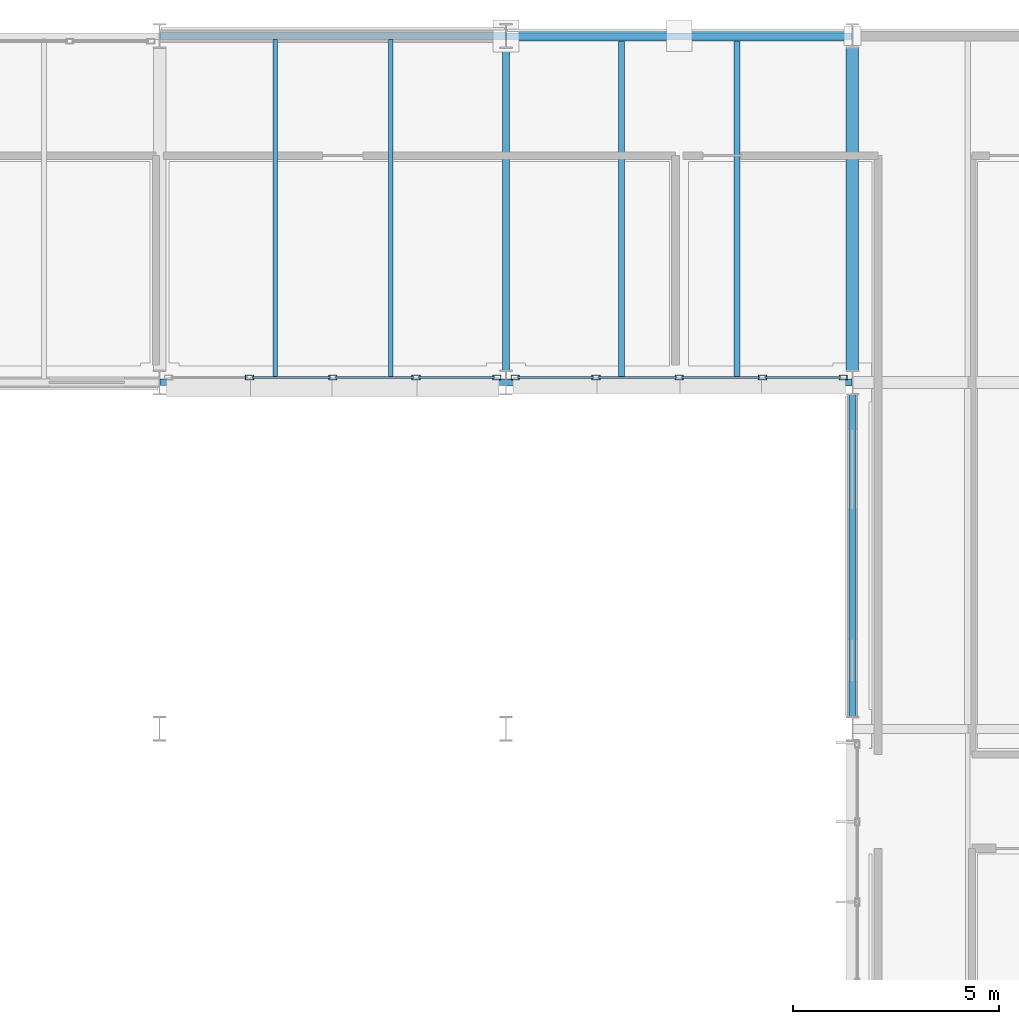
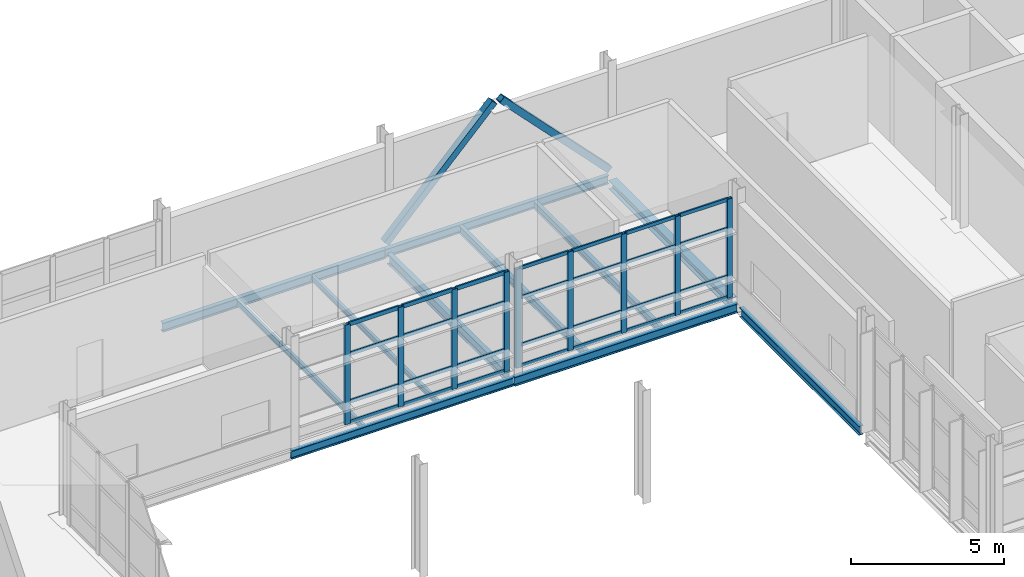
# One storey, part 77 of 129: 39 members, 11 beams, 2 elements without a shape of their own.
"""IFC4 building model written with IfcOpenShell, lengths in metres."""

from ifc_helpers import new_model, si_unit, direction, frame, origin, origin_2d, place, context, subcontext, project, spatial, hollow_rectangle, i_section, extrude, material, material_profile, profile_set, type_object, element, aggregate, save


model = new_model("IFC4")

# Units and contexts
model_context = context("Model", 3, precision=1e-05, world=origin(), true_north=direction((0.0, 1.0)))
body_context = subcontext(model_context, "Body", "Model", "MODEL_VIEW")
ifc_project = project(units=[si_unit("LENGTHUNIT", "METRE"), si_unit("AREAUNIT", "SQUARE_METRE"), si_unit("VOLUMEUNIT", "CUBIC_METRE"), si_unit("PLANEANGLEUNIT", "RADIAN"), si_unit("MASSUNIT", "GRAM", prefix="KILO")], contexts=[model_context])

# Site, building, storey
site_placement = place(None, origin())
site = spatial("IfcSite", under=ifc_project, at=site_placement, CompositionType="ELEMENT")
building_placement = place(site_placement, origin())
building = spatial("IfcBuilding", under=site, at=building_placement, Name="Mersafa Astral City Hall", CompositionType="ELEMENT")
storey_placement = place(building_placement, frame((0.0, 0.0, 5.39990234375)))
storey = spatial("IfcBuildingStorey", under=building, at=storey_placement, Name="L01", CompositionType="ELEMENT", Elevation=5.39990234375)

# Curtain wall, members
ifc_material_1 = material(Name="Anodised bronze aluminium framing", Category="aluminium")
curtain_wall_type_1 = type_object("IfcCurtainWallType", Name="ENV-CW-1", PredefinedType="USERDEFINED", material=ifc_material_1)
curtain_wall_1_placement = place(storey_placement, origin())
curtain_wall_1 = element("IfcCurtainWall", 1, at=curtain_wall_1_placement, inside=storey, type_object=curtain_wall_type_1, Name="L01 Unitised solar curtain wall 60", ObjectType="UNITISED CURTAIN WALL", PredefinedType="USERDEFINED")
ifc_material_profile_1 = material_profile(ifc_material_1, hollow_rectangle(XDim=0.1201171875, YDim=0.199951171875, WallThickness=0.008056640625, at=origin_2d()), Name="RHS 120x200x8")
ifc_profile_set_1 = profile_set([ifc_material_profile_1], Name="Anodised bronze aluminium framing")
member_type_1 = type_object("IfcMemberType", Name="ENV-CW-MUL-2", PredefinedType="MULLION", material=ifc_profile_set_1)
member_1_placement = place(storey_placement, frame((128.180908203125, 117.719970703125, -0.001953125), z_axis=(0.0, 0.0, 1.0), x_axis=(0.0, 1.0, 0.0)))
member_1 = element("IfcMember", 2, at=member_1_placement, type_object=member_type_1, Name="CW-1 mullion 2", PredefinedType="MULLION", context=body_context, shape_type="SweptSolid", body=[
    extrude(hollow_rectangle(XDim=0.1201171875, YDim=0.199951171875, WallThickness=0.008056640625, at=origin_2d()), origin(), (0.0, 0.0, 1.0), 3.968994140625),
])
member_2_placement = place(storey_placement, frame((130.199951171875, 117.719970703125, -0.001953125), z_axis=(0.0, 0.0, 1.0), x_axis=(0.0, 1.0, 0.0)))
member_2 = element("IfcMember", 3, at=member_2_placement, type_object=member_type_1, Name="CW-1 mullion 3", PredefinedType="MULLION", context=body_context, shape_type="SweptSolid", body=[
    extrude(hollow_rectangle(XDim=0.1201171875, YDim=0.199951171875, WallThickness=0.008056640625, at=origin_2d()), origin(), (0.0, 0.0, 1.0), 3.968994140625),
])
member_3_placement = place(storey_placement, frame((132.218994140625, 117.719970703125, -0.001953125), z_axis=(0.0, 0.0, 1.0), x_axis=(0.0, 1.0, 0.0)))
member_3 = element("IfcMember", 4, at=member_3_placement, type_object=member_type_1, Name="CW-1 mullion 4", PredefinedType="MULLION", context=body_context, shape_type="SweptSolid", body=[
    extrude(hollow_rectangle(XDim=0.1201171875, YDim=0.199951171875, WallThickness=0.008056640625, at=origin_2d()), origin(), (0.0, 0.0, 1.0), 3.968994140625),
])
member_4_placement = place(storey_placement, frame((134.177978515625, 117.719970703125, -0.001953125), z_axis=(0.0, 0.0, 1.0), x_axis=(0.0, 1.0, 0.0)))
member_4 = element("IfcMember", 5, at=member_4_placement, type_object=member_type_1, Name="CW-1 mullion 5", PredefinedType="MULLION", context=body_context, shape_type="SweptSolid", body=[
    extrude(hollow_rectangle(XDim=0.1201171875, YDim=0.199951171875, WallThickness=0.008056640625, at=origin_2d()), origin(), (0.0, 0.0, 1.0), 3.968994140625),
])

curtain_wall_type_2 = type_object("IfcCurtainWallType", Name="ENV-CW-2", PredefinedType="USERDEFINED", material=ifc_material_1)
curtain_wall_2_placement = place(storey_placement, origin())
curtain_wall_2 = element("IfcCurtainWall", 6, at=curtain_wall_2_placement, inside=storey, type_object=curtain_wall_type_2, Name="L01 Unitised solar curtain wall 61", ObjectType="UNITISED CURTAIN WALL", PredefinedType="USERDEFINED")
member_5_placement = place(storey_placement, frame((134.6220703125, 117.719970703125, -0.001953125), z_axis=(0.0, 0.0, 1.0), x_axis=(0.0, 1.0, 0.0)))
member_5 = element("IfcMember", 7, at=member_5_placement, type_object=member_type_1, Name="CW-2 mullion 1", PredefinedType="MULLION", context=body_context, shape_type="SweptSolid", body=[
    extrude(hollow_rectangle(XDim=0.1201171875, YDim=0.199951171875, WallThickness=0.008056640625, at=origin_2d()), origin(), (0.0, 0.0, 1.0), 3.93896484375),
])
member_6_placement = place(storey_placement, frame((136.5810546875, 117.719970703125, -0.001953125), z_axis=(0.0, 0.0, 1.0), x_axis=(0.0, 1.0, 0.0)))
member_6 = element("IfcMember", 8, at=member_6_placement, type_object=member_type_1, Name="CW-2 mullion 2", PredefinedType="MULLION", context=body_context, shape_type="SweptSolid", body=[
    extrude(hollow_rectangle(XDim=0.1201171875, YDim=0.199951171875, WallThickness=0.008056640625, at=origin_2d()), origin(), (0.0, 0.0, 1.0), 3.93896484375),
])
member_7_placement = place(storey_placement, frame((138.60009765625, 117.719970703125, -0.001953125), z_axis=(0.0, 0.0, 1.0), x_axis=(0.0, 1.0, 0.0)))
member_7 = element("IfcMember", 9, at=member_7_placement, type_object=member_type_1, Name="CW-2 mullion 3", PredefinedType="MULLION", context=body_context, shape_type="SweptSolid", body=[
    extrude(hollow_rectangle(XDim=0.1201171875, YDim=0.199951171875, WallThickness=0.008056640625, at=origin_2d()), origin(), (0.0, 0.0, 1.0), 3.93896484375),
])
member_8_placement = place(storey_placement, frame((140.618896484375, 117.719970703125, -0.001953125), z_axis=(0.0, 0.0, 1.0), x_axis=(0.0, 1.0, 0.0)))
member_8 = element("IfcMember", 10, at=member_8_placement, type_object=member_type_1, Name="CW-2 mullion 4", PredefinedType="MULLION", context=body_context, shape_type="SweptSolid", body=[
    extrude(hollow_rectangle(XDim=0.1201171875, YDim=0.199951171875, WallThickness=0.008056640625, at=origin_2d()), origin(), (0.0, 0.0, 1.0), 3.93896484375),
])
member_9_placement = place(storey_placement, frame((142.577880859375, 117.719970703125, -0.001953125), z_axis=(0.0, 0.0, 1.0), x_axis=(0.0, 1.0, 0.0)))
member_9 = element("IfcMember", 11, at=member_9_placement, type_object=member_type_1, Name="CW-2 mullion 5", PredefinedType="MULLION", context=body_context, shape_type="SweptSolid", body=[
    extrude(hollow_rectangle(XDim=0.1201171875, YDim=0.199951171875, WallThickness=0.008056640625, at=origin_2d()), origin(), (0.0, 0.0, 1.0), 3.93896484375),
])
ifc_material_profile_2 = material_profile(ifc_material_1, hollow_rectangle(XDim=0.06005859375, YDim=0.139892578125, WallThickness=0.00390625, at=origin_2d()), Name="RHS 60x140x4")
ifc_profile_set_2 = profile_set([ifc_material_profile_2], Name="Anodised bronze aluminium framing")
member_type_2 = type_object("IfcMemberType", Name="ENV-CW-TRN-1", PredefinedType="USERDEFINED", material=ifc_profile_set_2)
member_10_placement = place(storey_placement, frame((134.681884765625, 117.719970703125, 0.028076171875), z_axis=(1.0, 0.0, 0.0), x_axis=(0.0, 1.0, 0.0)))
member_10 = element("IfcMember", 12, at=member_10_placement, type_object=member_type_2, Name="CW-2 transom 1.1", ObjectType="TRANSOM", PredefinedType="USERDEFINED", context=body_context, shape_type="SweptSolid", body=[
    extrude(hollow_rectangle(XDim=0.06005859375, YDim=0.139892578125, WallThickness=0.00390625, at=origin_2d()), origin(), (0.0, 0.0, 1.0), 1.839111328125),
])
member_11_placement = place(storey_placement, frame((134.681884765625, 117.719970703125, 0.85009765625), z_axis=(1.0, 0.0, 0.0), x_axis=(0.0, 1.0, 0.0)))
member_11 = element("IfcMember", 13, at=member_11_placement, type_object=member_type_2, Name="CW-2 transom 1.2", ObjectType="TRANSOM", PredefinedType="USERDEFINED", context=body_context, shape_type="SweptSolid", body=[
    extrude(hollow_rectangle(XDim=0.06005859375, YDim=0.139892578125, WallThickness=0.00390625, at=origin_2d()), origin(), (0.0, 0.0, 1.0), 1.839111328125),
])
member_12_placement = place(storey_placement, frame((134.681884765625, 117.719970703125, 2.75), z_axis=(1.0, 0.0, 0.0), x_axis=(0.0, 1.0, 0.0)))
member_12 = element("IfcMember", 14, at=member_12_placement, type_object=member_type_2, Name="CW-2 transom 1.3", ObjectType="TRANSOM", PredefinedType="USERDEFINED", context=body_context, shape_type="SweptSolid", body=[
    extrude(hollow_rectangle(XDim=0.06005859375, YDim=0.139892578125, WallThickness=0.00390625, at=origin_2d()), origin(), (0.0, 0.0, 1.0), 1.839111328125),
])
member_13_placement = place(storey_placement, frame((134.681884765625, 117.719970703125, 3.906982421875), z_axis=(1.0, 0.0, 0.0), x_axis=(0.0, 1.0, 0.0)))
member_13 = element("IfcMember", 15, at=member_13_placement, type_object=member_type_2, Name="CW-2 transom 1.4", ObjectType="TRANSOM", PredefinedType="USERDEFINED", context=body_context, shape_type="SweptSolid", body=[
    extrude(hollow_rectangle(XDim=0.06005859375, YDim=0.139892578125, WallThickness=0.00390625, at=origin_2d()), origin(), (0.0, 0.0, 1.0), 1.839111328125),
])
member_14_placement = place(storey_placement, frame((136.64111328125, 117.719970703125, 0.028076171875), z_axis=(1.0, 0.0, 0.0), x_axis=(0.0, 1.0, 0.0)))
member_14 = element("IfcMember", 16, at=member_14_placement, type_object=member_type_2, Name="CW-2 transom 2.1", ObjectType="TRANSOM", PredefinedType="USERDEFINED", context=body_context, shape_type="SweptSolid", body=[
    extrude(hollow_rectangle(XDim=0.06005859375, YDim=0.139892578125, WallThickness=0.00390625, at=origin_2d()), origin(), (0.0, 0.0, 1.0), 1.89892578125),
])
member_15_placement = place(storey_placement, frame((136.64111328125, 117.719970703125, 0.85009765625), z_axis=(1.0, 0.0, 0.0), x_axis=(0.0, 1.0, 0.0)))
member_15 = element("IfcMember", 17, at=member_15_placement, type_object=member_type_2, Name="CW-2 transom 2.2", ObjectType="TRANSOM", PredefinedType="USERDEFINED", context=body_context, shape_type="SweptSolid", body=[
    extrude(hollow_rectangle(XDim=0.06005859375, YDim=0.139892578125, WallThickness=0.00390625, at=origin_2d()), origin(), (0.0, 0.0, 1.0), 1.89892578125),
])
member_16_placement = place(storey_placement, frame((136.64111328125, 117.719970703125, 2.75), z_axis=(1.0, 0.0, 0.0), x_axis=(0.0, 1.0, 0.0)))
member_16 = element("IfcMember", 18, at=member_16_placement, type_object=member_type_2, Name="CW-2 transom 2.3", ObjectType="TRANSOM", PredefinedType="USERDEFINED", context=body_context, shape_type="SweptSolid", body=[
    extrude(hollow_rectangle(XDim=0.06005859375, YDim=0.139892578125, WallThickness=0.00390625, at=origin_2d()), origin(), (0.0, 0.0, 1.0), 1.89892578125),
])
member_17_placement = place(storey_placement, frame((136.64111328125, 117.719970703125, 3.906982421875), z_axis=(1.0, 0.0, 0.0), x_axis=(0.0, 1.0, 0.0)))
member_17 = element("IfcMember", 19, at=member_17_placement, type_object=member_type_2, Name="CW-2 transom 2.4", ObjectType="TRANSOM", PredefinedType="USERDEFINED", context=body_context, shape_type="SweptSolid", body=[
    extrude(hollow_rectangle(XDim=0.06005859375, YDim=0.139892578125, WallThickness=0.00390625, at=origin_2d()), origin(), (0.0, 0.0, 1.0), 1.89892578125),
])
member_18_placement = place(storey_placement, frame((138.659912109375, 117.719970703125, 0.028076171875), z_axis=(1.0, 0.0, 0.0), x_axis=(0.0, 1.0, 0.0)))
member_18 = element("IfcMember", 20, at=member_18_placement, type_object=member_type_2, Name="CW-2 transom 3.1", ObjectType="TRANSOM", PredefinedType="USERDEFINED", context=body_context, shape_type="SweptSolid", body=[
    extrude(hollow_rectangle(XDim=0.06005859375, YDim=0.139892578125, WallThickness=0.00390625, at=origin_2d()), origin(), (0.0, 0.0, 1.0), 1.899169921875),
])
member_19_placement = place(storey_placement, frame((138.659912109375, 117.719970703125, 0.85009765625), z_axis=(1.0, 0.0, 0.0), x_axis=(0.0, 1.0, 0.0)))
member_19 = element("IfcMember", 21, at=member_19_placement, type_object=member_type_2, Name="CW-2 transom 3.2", ObjectType="TRANSOM", PredefinedType="USERDEFINED", context=body_context, shape_type="SweptSolid", body=[
    extrude(hollow_rectangle(XDim=0.06005859375, YDim=0.139892578125, WallThickness=0.00390625, at=origin_2d()), origin(), (0.0, 0.0, 1.0), 1.899169921875),
])
member_20_placement = place(storey_placement, frame((138.659912109375, 117.719970703125, 2.75), z_axis=(1.0, 0.0, 0.0), x_axis=(0.0, 1.0, 0.0)))
member_20 = element("IfcMember", 22, at=member_20_placement, type_object=member_type_2, Name="CW-2 transom 3.3", ObjectType="TRANSOM", PredefinedType="USERDEFINED", context=body_context, shape_type="SweptSolid", body=[
    extrude(hollow_rectangle(XDim=0.06005859375, YDim=0.139892578125, WallThickness=0.00390625, at=origin_2d()), origin(), (0.0, 0.0, 1.0), 1.899169921875),
])
member_21_placement = place(storey_placement, frame((138.659912109375, 117.719970703125, 3.906982421875), z_axis=(1.0, 0.0, 0.0), x_axis=(0.0, 1.0, 0.0)))
member_21 = element("IfcMember", 23, at=member_21_placement, type_object=member_type_2, Name="CW-2 transom 3.4", ObjectType="TRANSOM", PredefinedType="USERDEFINED", context=body_context, shape_type="SweptSolid", body=[
    extrude(hollow_rectangle(XDim=0.06005859375, YDim=0.139892578125, WallThickness=0.00390625, at=origin_2d()), origin(), (0.0, 0.0, 1.0), 1.899169921875),
])
member_22_placement = place(storey_placement, frame((140.678955078125, 117.719970703125, 0.028076171875), z_axis=(1.0, 0.0, 0.0), x_axis=(0.0, 1.0, 0.0)))
member_22 = element("IfcMember", 24, at=member_22_placement, type_object=member_type_2, Name="CW-2 transom 4.1", ObjectType="TRANSOM", PredefinedType="USERDEFINED", context=body_context, shape_type="SweptSolid", body=[
    extrude(hollow_rectangle(XDim=0.06005859375, YDim=0.139892578125, WallThickness=0.00390625, at=origin_2d()), origin(), (0.0, 0.0, 1.0), 1.839111328125),
])
member_23_placement = place(storey_placement, frame((140.678955078125, 117.719970703125, 0.85009765625), z_axis=(1.0, 0.0, 0.0), x_axis=(0.0, 1.0, 0.0)))
member_23 = element("IfcMember", 25, at=member_23_placement, type_object=member_type_2, Name="CW-2 transom 4.2", ObjectType="TRANSOM", PredefinedType="USERDEFINED", context=body_context, shape_type="SweptSolid", body=[
    extrude(hollow_rectangle(XDim=0.06005859375, YDim=0.139892578125, WallThickness=0.00390625, at=origin_2d()), origin(), (0.0, 0.0, 1.0), 1.839111328125),
])
member_24_placement = place(storey_placement, frame((140.678955078125, 117.719970703125, 2.75), z_axis=(1.0, 0.0, 0.0), x_axis=(0.0, 1.0, 0.0)))
member_24 = element("IfcMember", 26, at=member_24_placement, type_object=member_type_2, Name="CW-2 transom 4.3", ObjectType="TRANSOM", PredefinedType="USERDEFINED", context=body_context, shape_type="SweptSolid", body=[
    extrude(hollow_rectangle(XDim=0.06005859375, YDim=0.139892578125, WallThickness=0.00390625, at=origin_2d()), origin(), (0.0, 0.0, 1.0), 1.839111328125),
])
member_25_placement = place(storey_placement, frame((140.678955078125, 117.719970703125, 3.906982421875), z_axis=(1.0, 0.0, 0.0), x_axis=(0.0, 1.0, 0.0)))
member_25 = element("IfcMember", 27, at=member_25_placement, type_object=member_type_2, Name="CW-2 transom 4.4", ObjectType="TRANSOM", PredefinedType="USERDEFINED", context=body_context, shape_type="SweptSolid", body=[
    extrude(hollow_rectangle(XDim=0.06005859375, YDim=0.139892578125, WallThickness=0.00390625, at=origin_2d()), origin(), (0.0, 0.0, 1.0), 1.839111328125),
])
aggregate(curtain_wall_2, [member_5, member_6, member_7, member_8, member_9, member_10, member_11, member_12, member_13, member_14, member_15, member_16, member_17, member_18, member_19, member_20, member_21, member_22, member_23, member_24, member_25])

# Member
ifc_material_profile_3 = material_profile(ifc_material_1, hollow_rectangle(XDim=0.06005859375, YDim=0.159912109375, WallThickness=0.00390625, at=origin_2d()), Name="RHS 60x160x4")
ifc_profile_set_3 = profile_set([ifc_material_profile_3], Name="Anodised bronze aluminium framing")
member_type_3 = type_object("IfcMemberType", Name="ENV-CW-TRN-2", PredefinedType="USERDEFINED", material=ifc_profile_set_3)
member_26_placement = place(storey_placement, frame((128.240966796875, 117.719970703125, 0.028076171875), z_axis=(1.0, 0.0, 0.0), x_axis=(0.0, 1.0, 0.0)))
member_26 = element("IfcMember", 28, at=member_26_placement, type_object=member_type_3, Name="CW-1 transom 2.1", ObjectType="TRANSOM", PredefinedType="USERDEFINED", context=body_context, shape_type="SweptSolid", body=[
    extrude(hollow_rectangle(XDim=0.06005859375, YDim=0.159912109375, WallThickness=0.00390625, at=origin_2d()), origin(), (0.0, 0.0, 1.0), 1.89892578125),
])

member_27_placement = place(storey_placement, frame((128.240966796875, 117.719970703125, 0.85009765625), z_axis=(1.0, 0.0, 0.0), x_axis=(0.0, 1.0, 0.0)))
member_27 = element("IfcMember", 29, at=member_27_placement, type_object=member_type_3, Name="CW-1 transom 2.2", ObjectType="TRANSOM", PredefinedType="USERDEFINED", context=body_context, shape_type="SweptSolid", body=[
    extrude(hollow_rectangle(XDim=0.06005859375, YDim=0.159912109375, WallThickness=0.00390625, at=origin_2d()), origin(), (0.0, 0.0, 1.0), 1.89892578125),
])

member_28_placement = place(storey_placement, frame((128.240966796875, 117.719970703125, 2.75), z_axis=(1.0, 0.0, 0.0), x_axis=(0.0, 1.0, 0.0)))
member_28 = element("IfcMember", 30, at=member_28_placement, type_object=member_type_3, Name="CW-1 transom 2.3", ObjectType="TRANSOM", PredefinedType="USERDEFINED", context=body_context, shape_type="SweptSolid", body=[
    extrude(hollow_rectangle(XDim=0.06005859375, YDim=0.159912109375, WallThickness=0.00390625, at=origin_2d()), origin(), (0.0, 0.0, 1.0), 1.89892578125),
])

member_29_placement = place(storey_placement, frame((128.240966796875, 117.719970703125, 3.93701171875), z_axis=(1.0, 0.0, 0.0), x_axis=(0.0, 1.0, 0.0)))
member_29 = element("IfcMember", 31, at=member_29_placement, type_object=member_type_3, Name="CW-1 transom 2.4", ObjectType="TRANSOM", PredefinedType="USERDEFINED", context=body_context, shape_type="SweptSolid", body=[
    extrude(hollow_rectangle(XDim=0.06005859375, YDim=0.159912109375, WallThickness=0.00390625, at=origin_2d()), origin(), (0.0, 0.0, 1.0), 1.89892578125),
])

member_30_placement = place(storey_placement, frame((130.260009765625, 117.719970703125, 0.028076171875), z_axis=(1.0, 0.0, 0.0), x_axis=(0.0, 1.0, 0.0)))
member_30 = element("IfcMember", 32, at=member_30_placement, type_object=member_type_3, Name="CW-1 transom 3.1", ObjectType="TRANSOM", PredefinedType="USERDEFINED", context=body_context, shape_type="SweptSolid", body=[
    extrude(hollow_rectangle(XDim=0.06005859375, YDim=0.159912109375, WallThickness=0.00390625, at=origin_2d()), origin(), (0.0, 0.0, 1.0), 1.89892578125),
])

member_31_placement = place(storey_placement, frame((130.260009765625, 117.719970703125, 0.85009765625), z_axis=(1.0, 0.0, 0.0), x_axis=(0.0, 1.0, 0.0)))
member_31 = element("IfcMember", 33, at=member_31_placement, type_object=member_type_3, Name="CW-1 transom 3.2", ObjectType="TRANSOM", PredefinedType="USERDEFINED", context=body_context, shape_type="SweptSolid", body=[
    extrude(hollow_rectangle(XDim=0.06005859375, YDim=0.159912109375, WallThickness=0.00390625, at=origin_2d()), origin(), (0.0, 0.0, 1.0), 1.89892578125),
])

member_32_placement = place(storey_placement, frame((130.260009765625, 117.719970703125, 2.75), z_axis=(1.0, 0.0, 0.0), x_axis=(0.0, 1.0, 0.0)))
member_32 = element("IfcMember", 34, at=member_32_placement, type_object=member_type_3, Name="CW-1 transom 3.3", ObjectType="TRANSOM", PredefinedType="USERDEFINED", context=body_context, shape_type="SweptSolid", body=[
    extrude(hollow_rectangle(XDim=0.06005859375, YDim=0.159912109375, WallThickness=0.00390625, at=origin_2d()), origin(), (0.0, 0.0, 1.0), 1.89892578125),
])

member_33_placement = place(storey_placement, frame((130.260009765625, 117.719970703125, 3.93701171875), z_axis=(1.0, 0.0, 0.0), x_axis=(0.0, 1.0, 0.0)))
member_33 = element("IfcMember", 35, at=member_33_placement, type_object=member_type_3, Name="CW-1 transom 3.4", ObjectType="TRANSOM", PredefinedType="USERDEFINED", context=body_context, shape_type="SweptSolid", body=[
    extrude(hollow_rectangle(XDim=0.06005859375, YDim=0.159912109375, WallThickness=0.00390625, at=origin_2d()), origin(), (0.0, 0.0, 1.0), 1.89892578125),
])

member_34_placement = place(storey_placement, frame((132.279052734375, 117.719970703125, 0.028076171875), z_axis=(1.0, 0.0, 0.0), x_axis=(0.0, 1.0, 0.0)))
member_34 = element("IfcMember", 36, at=member_34_placement, type_object=member_type_3, Name="CW-1 transom 4.1", ObjectType="TRANSOM", PredefinedType="USERDEFINED", context=body_context, shape_type="SweptSolid", body=[
    extrude(hollow_rectangle(XDim=0.06005859375, YDim=0.159912109375, WallThickness=0.00390625, at=origin_2d()), origin(), (0.0, 0.0, 1.0), 1.8388671875),
])

member_35_placement = place(storey_placement, frame((132.279052734375, 117.719970703125, 0.85009765625), z_axis=(1.0, 0.0, 0.0), x_axis=(0.0, 1.0, 0.0)))
member_35 = element("IfcMember", 37, at=member_35_placement, type_object=member_type_3, Name="CW-1 transom 4.2", ObjectType="TRANSOM", PredefinedType="USERDEFINED", context=body_context, shape_type="SweptSolid", body=[
    extrude(hollow_rectangle(XDim=0.06005859375, YDim=0.159912109375, WallThickness=0.00390625, at=origin_2d()), origin(), (0.0, 0.0, 1.0), 1.8388671875),
])

member_36_placement = place(storey_placement, frame((132.279052734375, 117.719970703125, 2.75), z_axis=(1.0, 0.0, 0.0), x_axis=(0.0, 1.0, 0.0)))
member_36 = element("IfcMember", 38, at=member_36_placement, type_object=member_type_3, Name="CW-1 transom 4.3", ObjectType="TRANSOM", PredefinedType="USERDEFINED", context=body_context, shape_type="SweptSolid", body=[
    extrude(hollow_rectangle(XDim=0.06005859375, YDim=0.159912109375, WallThickness=0.00390625, at=origin_2d()), origin(), (0.0, 0.0, 1.0), 1.8388671875),
])

member_37_placement = place(storey_placement, frame((132.279052734375, 117.719970703125, 3.93701171875), z_axis=(1.0, 0.0, 0.0), x_axis=(0.0, 1.0, 0.0)))
member_37 = element("IfcMember", 39, at=member_37_placement, type_object=member_type_3, Name="CW-1 transom 4.4", ObjectType="TRANSOM", PredefinedType="USERDEFINED", context=body_context, shape_type="SweptSolid", body=[
    extrude(hollow_rectangle(XDim=0.06005859375, YDim=0.159912109375, WallThickness=0.00390625, at=origin_2d()), origin(), (0.0, 0.0, 1.0), 1.8388671875),
])

aggregate(curtain_wall_1, [member_1, member_2, member_3, member_4, member_26, member_27, member_28, member_29, member_30, member_31, member_32, member_33, member_34, member_35, member_36, member_37])

# Beams
ifc_material_2 = material(Name="Steel S355", Category="steel")
ifc_material_profile_4 = material_profile(ifc_material_2, i_section(OverallWidth=0.300048828125, OverallDepth=0.35009765625, WebThickness=0.010009765625, FlangeThickness=0.017578125, FilletRadius=0.027099609375, at=origin_2d()), Name="HEA 360")
ifc_profile_set_4 = profile_set([ifc_material_profile_4], Name="Steel S355")
beam_type_1 = type_object("IfcBeamType", Name="STR-BM-HEA360", PredefinedType="BEAM", material=ifc_profile_set_4)
beam_1_placement = place(storey_placement, frame((142.800048828125, 117.89501953125, -0.39990234375), z_axis=(0.0, 1.0, 0.0), x_axis=(-1.0, 0.0, 0.0)))
element("IfcBeam", 40, at=beam_1_placement, inside=storey, type_object=beam_type_1, Name="L01 Primary girder Y 17-14", PredefinedType="BEAM", context=body_context, shape_type="SweptSolid", body=[
    extrude(i_section(OverallWidth=0.300048828125, OverallDepth=0.35009765625, WebThickness=0.010009765625, FlangeThickness=0.017578125, FilletRadius=0.027099609375, at=origin_2d()), origin(), (0.0, 0.0, 1.0), 7.81005859375),
])
ifc_material_profile_5 = material_profile(ifc_material_2, i_section(OverallWidth=0.179931640625, OverallDepth=0.39990234375, WebThickness=0.008544921875, FlangeThickness=0.013427734375, FilletRadius=0.02099609375, at=origin_2d()), Name="IPE 400")
ifc_profile_set_5 = profile_set([ifc_material_profile_5], Name="Steel S355")
beam_type_2 = type_object("IfcBeamType", Name="STR-BM-IPE400", PredefinedType="BEAM", material=ifc_profile_set_5)
beam_2_placement = place(storey_placement, frame((134.39990234375, 117.89501953125, -0.4248046875), z_axis=(0.0, 1.0, 0.0), x_axis=(-1.0, 0.0, 0.0)))
element("IfcBeam", 41, at=beam_2_placement, inside=storey, type_object=beam_type_2, Name="L01 Primary girder Y 16-14", PredefinedType="BEAM", context=body_context, shape_type="SweptSolid", body=[
    extrude(i_section(OverallWidth=0.179931640625, OverallDepth=0.39990234375, WebThickness=0.008544921875, FlangeThickness=0.013427734375, FilletRadius=0.02099609375, at=origin_2d()), origin(), (0.0, 0.0, 1.0), 7.81005859375),
])
ifc_material_profile_6 = material_profile(ifc_material_2, i_section(OverallWidth=0.110107421875, OverallDepth=0.219970703125, WebThickness=0.005859375, FlangeThickness=0.00927734375, FilletRadius=0.011962890625, at=origin_2d()), Name="IPE 220")
ifc_profile_set_6 = profile_set([ifc_material_profile_6], Name="Steel S355")
beam_type_3 = type_object("IfcBeamType", Name="STR-BM-JOIST-IPE220", PredefinedType="JOIST", material=ifc_profile_set_6)
for number, where, z_axis, x_axis, name in (
    (42, (128.800048828125, 117.675048828125, -0.3349609375), (0.0, 1.0, 0.0), (-1.0, 0.0, 0.0), "L01 Composite secondary floor joist 342"),
    (43, (131.60009765625, 117.675048828125, -0.3349609375), (0.0, 1.0, 0.0), (-1.0, 0.0, 0.0), "L01 Composite secondary floor joist 343"),
):
    element("IfcBeam", number, at=place(storey_placement, frame(where, z_axis=z_axis, x_axis=x_axis)), inside=storey, type_object=beam_type_3, Name=name, PredefinedType="JOIST", context=body_context, shape_type="SweptSolid", body=[
        extrude(i_section(OverallWidth=0.110107421875, OverallDepth=0.219970703125, WebThickness=0.005859375, FlangeThickness=0.00927734375, FilletRadius=0.011962890625, at=origin_2d()), origin(), (0.0, 0.0, 1.0), 8.244873046875),
    ])
ifc_material_profile_7 = material_profile(ifc_material_2, i_section(OverallWidth=0.14990234375, OverallDepth=0.300048828125, WebThickness=0.007080078125, FlangeThickness=0.0107421875, FilletRadius=0.014892578125, at=origin_2d()), Name="IPE 300")
ifc_profile_set_7 = profile_set([ifc_material_profile_7], Name="Steel S355")
beam_type_4 = type_object("IfcBeamType", Name="STR-BM-JOIST-IPE300", PredefinedType="JOIST", material=ifc_profile_set_7)
for number, where, z_axis, x_axis, name in (
    (44, (137.199951171875, 117.679931640625, -0.375), (0.0, 1.0, 0.0), (-1.0, 0.0, 0.0), "L01 Composite secondary floor joist 348"),
    (45, (140.0, 117.679931640625, -0.375), (0.0, 1.0, 0.0), (-1.0, 0.0, 0.0), "L01 Composite secondary floor joist 349"),
):
    element("IfcBeam", number, at=place(storey_placement, frame(where, z_axis=z_axis, x_axis=x_axis)), inside=storey, type_object=beam_type_4, Name=name, PredefinedType="JOIST", context=body_context, shape_type="SweptSolid", body=[
        extrude(i_section(OverallWidth=0.14990234375, OverallDepth=0.300048828125, WebThickness=0.007080078125, FlangeThickness=0.0107421875, FilletRadius=0.014892578125, at=origin_2d()), origin(), (0.0, 0.0, 1.0), 8.2451171875),
    ])
ifc_material_profile_8 = material_profile(ifc_material_2, i_section(OverallWidth=0.159912109375, OverallDepth=0.330078125, WebThickness=0.007568359375, FlangeThickness=0.011474609375, FilletRadius=0.01806640625, at=origin_2d()), Name="IPE 330")
ifc_profile_set_8 = profile_set([ifc_material_profile_8], Name="Steel S355")
beam_type_5 = type_object("IfcBeamType", Name="STR-BM-SPANDREL-IPE330", PredefinedType="SPANDREL", material=ifc_profile_set_8)
for number, where, z_axis, x_axis, name in (
    (46, (126.0029296875, 117.60009765625, -0.389892578125), (1.0, 0.0, 0.0), (0.0, 1.0, 0.0), "L01 Primary girder X 15-14"),
    (47, (134.403076171875, 126.0, -0.389892578125), (1.0, 0.0, 0.0), (0.0, 1.0, 0.0), "L01 Primary girder X 16-15"),
):
    element("IfcBeam", number, at=place(storey_placement, frame(where, z_axis=z_axis, x_axis=x_axis)), inside=storey, type_object=beam_type_5, Name=name, PredefinedType="SPANDREL", context=body_context, shape_type="SweptSolid", body=[
        extrude(i_section(OverallWidth=0.159912109375, OverallDepth=0.330078125, WebThickness=0.007568359375, FlangeThickness=0.011474609375, FilletRadius=0.01806640625, at=origin_2d()), origin(), (0.0, 0.0, 1.0), 8.39404296875),
    ])
ifc_material_profile_9 = material_profile(ifc_material_2, i_section(OverallWidth=0.169921875, OverallDepth=0.360107421875, WebThickness=0.008056640625, FlangeThickness=0.0126953125, FilletRadius=0.01806640625, at=origin_2d()), Name="IPE 360")
ifc_profile_set_9 = profile_set([ifc_material_profile_9], Name="Steel S355")
beam_type_6 = type_object("IfcBeamType", Name="STR-BM-SPANDREL-IPE360", PredefinedType="SPANDREL", material=ifc_profile_set_9)
for number, where, z_axis, x_axis, name in (
    (48, (134.403076171875, 117.60009765625, -0.40478515625), (1.0, 0.0, 0.0), (0.0, 1.0, 0.0), "L01 Primary girder X 16-14"),
    (49, (126.0029296875, 126.0, -0.40478515625), (1.0, 0.0, 0.0), (0.0, 1.0, 0.0), "L01 Primary girder X 15-15"),
):
    element("IfcBeam", number, at=place(storey_placement, frame(where, z_axis=z_axis, x_axis=x_axis)), inside=storey, type_object=beam_type_6, Name=name, PredefinedType="SPANDREL", context=body_context, shape_type="SweptSolid", body=[
        extrude(i_section(OverallWidth=0.169921875, OverallDepth=0.360107421875, WebThickness=0.008056640625, FlangeThickness=0.0126953125, FilletRadius=0.01806640625, at=origin_2d()), origin(), (0.0, 0.0, 1.0), 8.39404296875),
    ])
beam_3_placement = place(storey_placement, frame((142.800048828125, 109.4951171875, -0.40478515625), z_axis=(0.0, 1.0, 0.0), x_axis=(-1.0, 0.0, 0.0)))
element("IfcBeam", 50, at=beam_3_placement, inside=storey, type_object=beam_type_6, Name="L01 Primary girder Y 17-13", PredefinedType="SPANDREL", context=body_context, shape_type="SweptSolid", body=[
    extrude(i_section(OverallWidth=0.169921875, OverallDepth=0.360107421875, WebThickness=0.008056640625, FlangeThickness=0.0126953125, FilletRadius=0.01806640625, at=origin_2d()), origin(), (0.0, 0.0, 1.0), 7.809814453125),
])

# Members
ifc_material_profile_10 = material_profile(ifc_material_2, hollow_rectangle(XDim=0.25, YDim=0.25, WallThickness=0.012451171875, at=origin_2d()), Name="RHS 250x250x12.5")
ifc_profile_set_10 = profile_set([ifc_material_profile_10], Name="Steel S355")
member_type_4 = type_object("IfcMemberType", Name="STR-MBR-STRUT-RHS250", PredefinedType="BRACE", material=ifc_profile_set_10)
for number, where, z_axis, x_axis, name in (
    (51, (134.39794921875, 126.0, 0.02001953125), (0.694348699651, 0.0, 0.7196387172), (0.0, 1.0, 0.0), "L01 Chevron lateral brace 15A"),
    (52, (142.802001953125, 126.0, 0.02001953125), (-0.694348699651, 0.0, 0.7196387172), (0.0, -1.0, 0.0), "L01 Chevron lateral brace 15B"),
):
    element("IfcMember", number, at=place(storey_placement, frame(where, z_axis=z_axis, x_axis=x_axis)), inside=storey, type_object=member_type_4, Name=name, PredefinedType="BRACE", context=body_context, shape_type="SweptSolid", body=[
        extrude(hollow_rectangle(XDim=0.25, YDim=0.25, WallThickness=0.012451171875, at=origin_2d()), origin(), (0.0, 0.0, 1.0), 5.85009765625),
    ])

save(model, "model.ifc")
